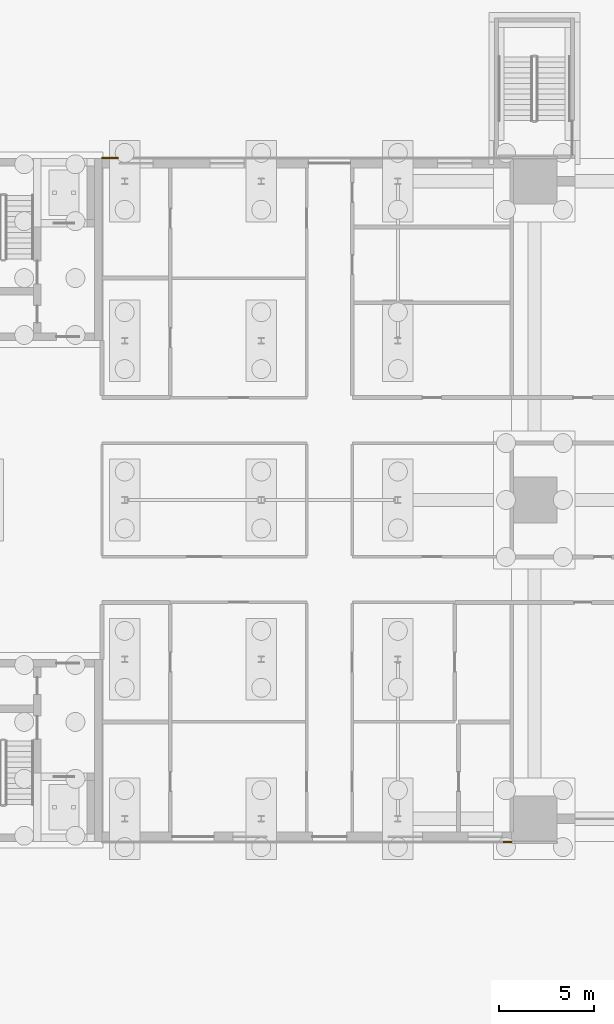
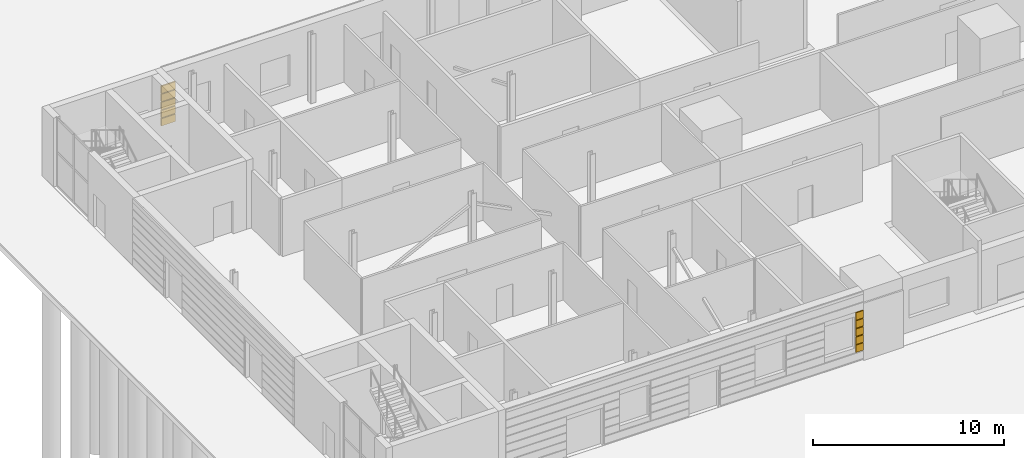
# One storey, part 136 of 139: 10 coverings.
"""IFC4 building model written with IfcOpenShell, lengths in metres."""

from ifc_helpers import new_model, si_unit, direction, frame, origin, origin_2d, place, context, subcontext, project, spatial, rectangle, extrude, material, layer, layer_set, type_object, element, save


model = new_model("IFC4")

# Units and contexts
model_context = context("Model", 3, precision=1e-05, world=origin(), true_north=direction((0.0, 1.0)))
body_context = subcontext(model_context, "Body", "Model", "MODEL_VIEW")
ifc_project = project(units=[si_unit("LENGTHUNIT", "METRE"), si_unit("AREAUNIT", "SQUARE_METRE"), si_unit("VOLUMEUNIT", "CUBIC_METRE"), si_unit("PLANEANGLEUNIT", "RADIAN"), si_unit("MASSUNIT", "GRAM", prefix="KILO")], contexts=[model_context])

# Site, building, storey
site_placement = place(None, origin())
site = spatial("IfcSite", under=ifc_project, at=site_placement, CompositionType="ELEMENT")
building_placement = place(site_placement, origin())
building = spatial("IfcBuilding", under=site, at=building_placement, Name="Verrick Yard Athletic Hall", CompositionType="ELEMENT")
storey_placement = place(building_placement, origin())
storey = spatial("IfcBuildingStorey", under=building, at=storey_placement, Name="L00", CompositionType="ELEMENT", Elevation=0.0)

# Coverings
ifc_material = material(Name="Tyndall-stone-look precast cladding", Category="masonry")
ifc_layer = layer(ifc_material, 0.125)
ifc_layer_set = layer_set([ifc_layer], Name="Stone cladding")
covering_type = type_object("IfcCoveringType", Name="Stone cladding", PredefinedType="CLADDING", material=ifc_layer_set)
for number, where, z_axis, x_axis, name in (
    (1, (38.574951171875, 17.96240234375, 0.643798828125), (0.0, 0.0, 1.0), (1.0, 0.0, 0.0), "Wing rustication"),
    (2, (38.574951171875, 17.96240234375, 1.16259765625), (0.0, 0.0, 1.0), (1.0, 0.0, 0.0), "Wing rustication"),
    (3, (38.574951171875, 17.96240234375, 1.68115234375), (0.0, 0.0, 1.0), (1.0, 0.0, 0.0), "Wing rustication"),
    (4, (38.574951171875, 17.96240234375, 2.199951171875), (0.0, 0.0, 1.0), (1.0, 0.0, 0.0), "Wing rustication"),
    (5, (38.574951171875, 17.96240234375, 2.71875), (0.0, 0.0, 1.0), (1.0, 0.0, 0.0), "Wing rustication"),
):
    element("IfcCovering", number, at=place(storey_placement, frame(where, z_axis=z_axis, x_axis=x_axis)), inside=storey, type_object=covering_type, Name=name, PredefinedType="CLADDING", context=body_context, shape_type="SweptSolid", body=[
        extrude(rectangle(XDim=0.449951171875, YDim=0.074951171875, at=origin_2d()), origin(), (0.0, 0.0, 1.0), 0.46875),
    ])
for number, where, z_axis, x_axis, name in (
    (6, (17.625, 54.03759765625, 0.643798828125), (0.0, 0.0, 1.0), (1.0, 0.0, 0.0), "Wing rustication"),
    (7, (17.625, 54.03759765625, 1.16259765625), (0.0, 0.0, 1.0), (1.0, 0.0, 0.0), "Wing rustication"),
    (8, (17.625, 54.03759765625, 1.68115234375), (0.0, 0.0, 1.0), (1.0, 0.0, 0.0), "Wing rustication"),
    (9, (17.625, 54.03759765625, 2.199951171875), (0.0, 0.0, 1.0), (1.0, 0.0, 0.0), "Wing rustication"),
    (10, (17.625, 54.03759765625, 2.71875), (0.0, 0.0, 1.0), (1.0, 0.0, 0.0), "Wing rustication"),
):
    element("IfcCovering", number, at=place(storey_placement, frame(where, z_axis=z_axis, x_axis=x_axis)), inside=storey, type_object=covering_type, Name=name, PredefinedType="CLADDING", context=body_context, shape_type="SweptSolid", body=[
        extrude(rectangle(XDim=0.85009765625, YDim=0.074951171875, at=origin_2d()), origin(), (0.0, 0.0, 1.0), 0.46875),
    ])

save(model, "model.ifc")
